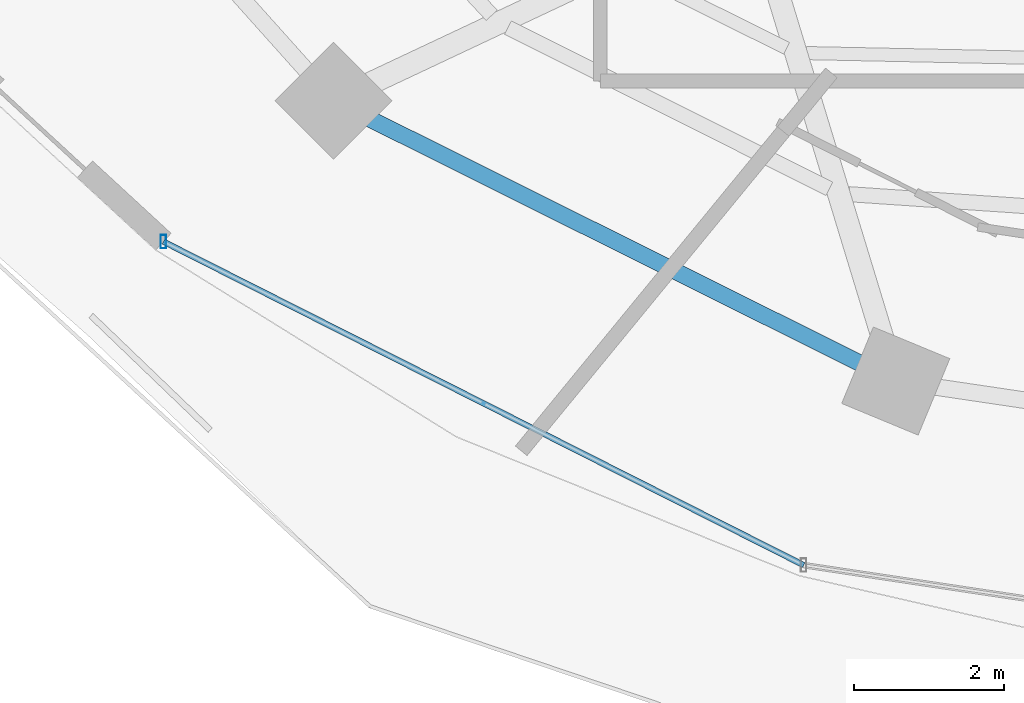
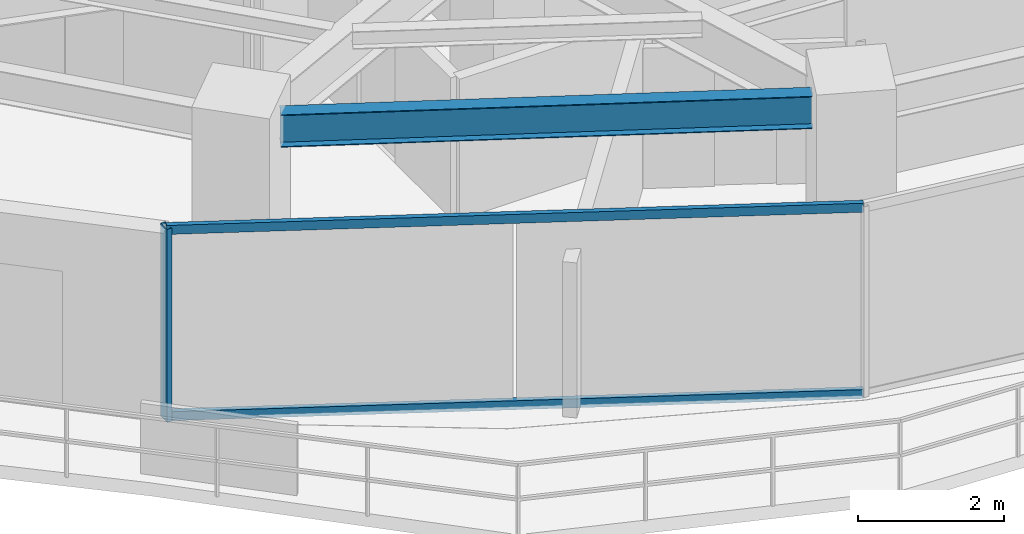
# One storey, part 2 of 29: 3 members, 1 beam, 1 element without a shape of its own.
"""IFC4 building model written with IfcOpenShell, lengths in metres."""

from ifc_helpers import new_model, si_unit, direction, frame, origin, origin_2d, place, context, subcontext, project, spatial, hollow_rectangle, i_section, extrude, material, material_profile, profile_set, type_object, element, aggregate, save


model = new_model("IFC4")

# Units and contexts
model_context = context("Model", 3, precision=1e-05, world=origin(), true_north=direction((0.0, 1.0)))
body_context = subcontext(model_context, "Body", "Model", "MODEL_VIEW")
ifc_project = project(units=[si_unit("LENGTHUNIT", "METRE"), si_unit("AREAUNIT", "SQUARE_METRE"), si_unit("VOLUMEUNIT", "CUBIC_METRE"), si_unit("PLANEANGLEUNIT", "RADIAN"), si_unit("MASSUNIT", "GRAM", prefix="KILO")], contexts=[model_context])

# Site, building, storey
site_placement = place(None, origin())
site = spatial("IfcSite", under=ifc_project, at=site_placement, CompositionType="ELEMENT")
building_placement = place(site_placement, origin())
building = spatial("IfcBuilding", under=site, at=building_placement, Name="Vorneva Point Tower", CompositionType="ELEMENT")
storey_placement = place(building_placement, frame((0.0, 0.0, 120.800048828125)))
storey = spatial("IfcBuildingStorey", under=building, at=storey_placement, Name="L32", CompositionType="ELEMENT", Elevation=120.800048828125)

# Beam
ifc_material_1 = material(Name="Steel S355", Category="steel")
ifc_material_profile_1 = material_profile(ifc_material_1, i_section(OverallWidth=0.219970703125, OverallDepth=0.54296875, WebThickness=0.009521484375, FlangeThickness=0.013427734375, at=origin_2d()), Name="55B1")
ifc_profile_set_1 = profile_set([ifc_material_profile_1], Name="Steel S355")
beam_type = type_object("IfcBeamType", Name="BM-SPN-55B1", PredefinedType="SPANDREL", material=ifc_profile_set_1)
beam_placement = place(storey_placement, frame((22.179931640625, 13.59912109375, 2.87841796875), z_axis=(0.894915882304, -0.446234874926, 0.0), x_axis=(0.446234874926, 0.894915882304, 0.0)))
element("IfcBeam", 1, at=beam_placement, inside=storey, type_object=beam_type, Name="L32 Perimeter Spandrel Ring Beam 11", PredefinedType="SPANDREL", context=body_context, shape_type="SweptSolid", body=[
    extrude(i_section(OverallWidth=0.219970703125, OverallDepth=0.54296875, WebThickness=0.009521484375, FlangeThickness=0.013427734375, at=origin_2d()), origin(), (0.0, 0.0, 1.0), 7.285888671875),
])

# Curtain wall, members
ifc_material_2 = material(Name="Pale anodised aluminium", Category="aluminium")
curtain_wall_type = type_object("IfcCurtainWallType", Name="CW-HTL-SYS", PredefinedType="NOTDEFINED", material=ifc_material_2)
curtain_wall_placement = place(storey_placement, origin())
curtain_wall = element("IfcCurtainWall", 2, at=curtain_wall_placement, inside=storey, type_object=curtain_wall_type, Name="L32 Unitised Curtain Wall CW-L32-R03", PredefinedType="NOTDEFINED")
ifc_material_profile_2 = material_profile(ifc_material_2, hollow_rectangle(XDim=0.074951171875, YDim=0.179931640625, WallThickness=0.00390625, at=origin_2d()), Name="AL-MUL 180x75x4")
ifc_profile_set_2 = profile_set([ifc_material_profile_2], Name="Pale anodised aluminium")
member_type_1 = type_object("IfcMemberType", Name="CW-MUL-180", PredefinedType="MULLION", material=ifc_profile_set_2)
member_1_placement = place(storey_placement, frame((19.4384765625, 11.9638671875, -0.0400390625), z_axis=(0.0, 0.0, 1.0), x_axis=(1.0, 0.0, 0.0)))
member_1 = element("IfcMember", 3, at=member_1_placement, type_object=member_type_1, Name="CW-L32-R03 Mullion 01", PredefinedType="MULLION", context=body_context, shape_type="SweptSolid", body=[
    extrude(hollow_rectangle(XDim=0.074951171875, YDim=0.179931640625, WallThickness=0.00390625, at=origin_2d()), origin(), (0.0, 0.0, 1.0), 3.219970703125),
])
ifc_material_profile_3 = material_profile(ifc_material_2, hollow_rectangle(XDim=0.074951171875, YDim=0.14990234375, WallThickness=0.00390625, at=origin_2d()), Name="AL-TRN 150x75x4")
ifc_profile_set_3 = profile_set([ifc_material_profile_3], Name="Pale anodised aluminium")
member_type_2 = type_object("IfcMemberType", Name="CW-TRN-150", PredefinedType="USERDEFINED", material=ifc_profile_set_3)
member_2_placement = place(storey_placement, frame((19.4384765625, 11.9638671875, 0.02001953125), z_axis=(0.892536035732, -0.450976080207, 0.0), x_axis=(0.450976080207, 0.892536035732, 0.0)))
member_2 = element("IfcMember", 4, at=member_2_placement, type_object=member_type_2, Name="CW-L32-R03 Transom 01.1", ObjectType="TRANSOM", PredefinedType="USERDEFINED", context=body_context, shape_type="SweptSolid", body=[
    extrude(hollow_rectangle(XDim=0.074951171875, YDim=0.14990234375, WallThickness=0.00390625, at=origin_2d()), origin(), (0.0, 0.0, 1.0), 9.54150390625),
])
member_3_placement = place(storey_placement, frame((19.4384765625, 11.9638671875, 3.1298828125), z_axis=(0.892536035732, -0.450976080207, 0.0), x_axis=(0.450976080207, 0.892536035732, 0.0)))
member_3 = element("IfcMember", 5, at=member_3_placement, type_object=member_type_2, Name="CW-L32-R03 Transom 01.2", ObjectType="TRANSOM", PredefinedType="USERDEFINED", context=body_context, shape_type="SweptSolid", body=[
    extrude(hollow_rectangle(XDim=0.074951171875, YDim=0.14990234375, WallThickness=0.00390625, at=origin_2d()), origin(), (0.0, 0.0, 1.0), 9.54150390625),
])
aggregate(curtain_wall, [member_1, member_2, member_3])

save(model, "model.ifc")
